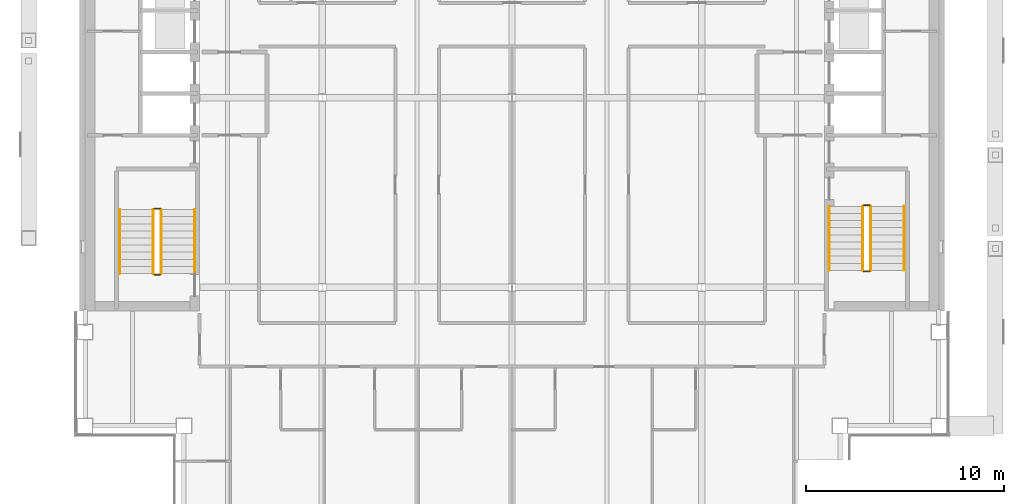
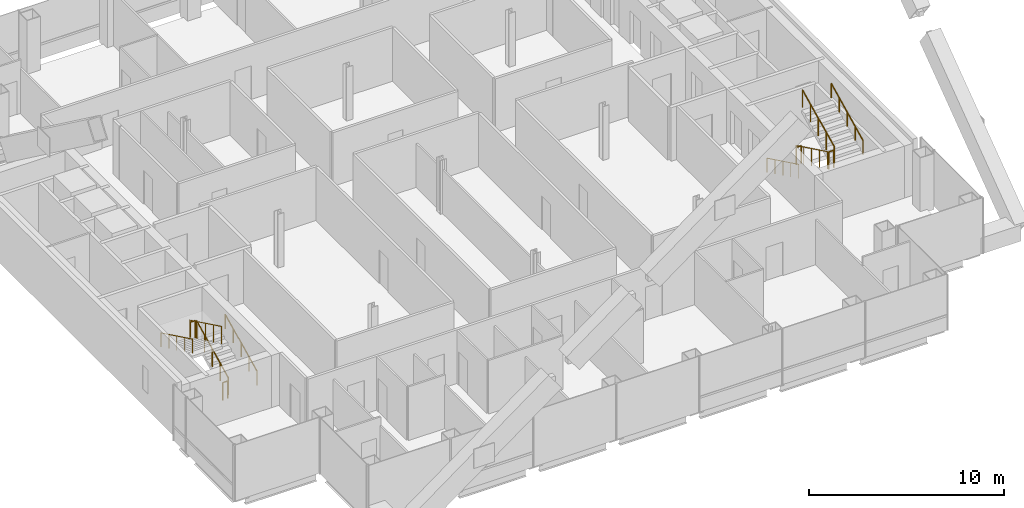
# One storey, part 16 of 17: 12 railings.
"""IFC4 building model written with IfcOpenShell, lengths in metres."""

from ifc_helpers import new_model, si_unit, direction, frame, origin, origin_2d, place, context, subcontext, project, spatial, circle, extrude, material, type_object, element, save


model = new_model("IFC4")

# Units and contexts
model_context = context("Model", 3, precision=1e-05, world=origin(), true_north=direction((0.0, 1.0)))
body_context = subcontext(model_context, "Body", "Model", "MODEL_VIEW")
ifc_project = project(units=[si_unit("LENGTHUNIT", "METRE"), si_unit("AREAUNIT", "SQUARE_METRE"), si_unit("VOLUMEUNIT", "CUBIC_METRE"), si_unit("PLANEANGLEUNIT", "RADIAN"), si_unit("MASSUNIT", "GRAM", prefix="KILO")], contexts=[model_context])

# Site, building, storey
site_placement = place(None, origin())
site = spatial("IfcSite", under=ifc_project, at=site_placement, CompositionType="ELEMENT")
building_placement = place(site_placement, origin())
building = spatial("IfcBuilding", under=site, at=building_placement, Name="Cobrizo Arcos Hotel Tower", CompositionType="ELEMENT")
storey_placement = place(building_placement, frame((0.0, 0.0, 151.5)))
storey = spatial("IfcBuildingStorey", under=building, at=storey_placement, Name="L38", CompositionType="ELEMENT", Elevation=151.5)

# Railings
ifc_material = material(Name="Stainless steel railing", Category="steel")
railing_type_1 = type_object("IfcRailingType", Name="Stair guard 1100", PredefinedType="GUARDRAIL", material=ifc_material)
railing_1_placement = place(storey_placement, frame((-17.75, -8.89990234375, 0.175048828125)))
element("IfcRailing", 1, at=railing_1_placement, inside=storey, type_object=railing_type_1, Name="L38 ST-W stair guard 1", PredefinedType="GUARDRAIL", context=body_context, shape_type="SweptSolid", body=[
    extrude(circle(Radius=0.02392578125, at=origin_2d()), frame((0.0, 0.0, 1.076171875), z_axis=(0.0, 0.899372665325, 0.437182809435), x_axis=(-1.0, 0.0, 0.0)), (0.0, 0.0, 1.0), 3.6025390625),
    extrude(circle(Radius=0.02099609375, at=origin_2d()), origin(), (0.0, 0.0, 1.0), 1.052001953125),
    extrude(circle(Radius=0.02099609375, at=origin_2d()), frame((0.0, 0.81005859375, 0.393798828125)), (0.0, 0.0, 1.0), 1.052001953125),
    extrude(circle(Radius=0.02099609375, at=origin_2d()), frame((0.0, 1.6201171875, 0.78759765625)), (0.0, 0.0, 1.0), 1.052001953125),
    extrude(circle(Radius=0.02099609375, at=origin_2d()), frame((0.0, 2.429931640625, 1.18115234375)), (0.0, 0.0, 1.0), 1.052001953125),
    extrude(circle(Radius=0.02099609375, at=origin_2d()), frame((0.0, 3.239990234375, 1.574951171875)), (0.0, 0.0, 1.0), 1.052001953125),
])
railing_2_placement = place(storey_placement, frame((-17.800048828125, -5.610107421875, 1.75)))
element("IfcRailing", 2, at=railing_2_placement, inside=storey, type_object=railing_type_1, Name="L38 ST-W stair guard 2", PredefinedType="GUARDRAIL", context=body_context, shape_type="SweptSolid", body=[
    extrude(circle(Radius=0.02392578125, at=origin_2d()), frame((0.0, 0.0, 1.076171875), z_axis=(-1.0, 0.0, 0.0), x_axis=(0.0, -1.0, 0.0)), (0.0, 0.0, 1.0), 0.300048828125),
    extrude(circle(Radius=0.02099609375, at=origin_2d()), origin(), (0.0, 0.0, 1.0), 1.052001953125),
    extrude(circle(Radius=0.02099609375, at=origin_2d()), frame((-0.300048828125, 0.0, 0.0)), (0.0, 0.0, 1.0), 1.052001953125),
])
railing_3_placement = place(storey_placement, frame((-18.14990234375, -5.659912109375, 1.925048828125)))
element("IfcRailing", 3, at=railing_3_placement, inside=storey, type_object=railing_type_1, Name="L38 ST-W stair guard 3", PredefinedType="GUARDRAIL", context=body_context, shape_type="SweptSolid", body=[
    extrude(circle(Radius=0.02392578125, at=origin_2d()), frame((0.0, 0.0, 1.076171875), z_axis=(0.0, -0.899372665325, 0.437182809435), x_axis=(1.0, 0.0, 0.0)), (0.0, 0.0, 1.0), 3.6025390625),
    extrude(circle(Radius=0.02099609375, at=origin_2d()), origin(), (0.0, 0.0, 1.0), 1.052001953125),
    extrude(circle(Radius=0.02099609375, at=origin_2d()), frame((0.0, -0.81005859375, 0.393798828125)), (0.0, 0.0, 1.0), 1.052001953125),
    extrude(circle(Radius=0.02099609375, at=origin_2d()), frame((0.0, -1.6201171875, 0.78759765625)), (0.0, 0.0, 1.0), 1.052001953125),
    extrude(circle(Radius=0.02099609375, at=origin_2d()), frame((0.0, -2.429931640625, 1.18115234375)), (0.0, 0.0, 1.0), 1.052001953125),
    extrude(circle(Radius=0.02099609375, at=origin_2d()), frame((0.0, -3.239990234375, 1.574951171875)), (0.0, 0.0, 1.0), 1.052001953125),
])
railing_4_placement = place(storey_placement, frame((-17.800048828125, -8.949951171875, 0.0)))
element("IfcRailing", 4, at=railing_4_placement, inside=storey, type_object=railing_type_1, Name="L38 ST-W stair guard 4", PredefinedType="GUARDRAIL", context=body_context, shape_type="SweptSolid", body=[
    extrude(circle(Radius=0.02392578125, at=origin_2d()), frame((0.0, 0.0, 1.076171875), z_axis=(-1.0, 0.0, 0.0), x_axis=(0.0, -1.0, 0.0)), (0.0, 0.0, 1.0), 0.300048828125),
    extrude(circle(Radius=0.02099609375, at=origin_2d()), origin(), (0.0, 0.0, 1.0), 1.052001953125),
    extrude(circle(Radius=0.02099609375, at=origin_2d()), frame((-0.300048828125, 0.0, 0.0)), (0.0, 0.0, 1.0), 1.052001953125),
])
railing_5_placement = place(storey_placement, frame((17.75, -5.5, 0.175048828125)))
element("IfcRailing", 5, at=railing_5_placement, inside=storey, type_object=railing_type_1, Name="L38 ST-E stair guard 1", PredefinedType="GUARDRAIL", context=body_context, shape_type="SweptSolid", body=[
    extrude(circle(Radius=0.02392578125, at=origin_2d()), frame((0.0, 0.0, 1.076171875), z_axis=(0.0, -0.899372665325, 0.437182809435), x_axis=(1.0, 0.0, 0.0)), (0.0, 0.0, 1.0), 3.6025390625),
    extrude(circle(Radius=0.02099609375, at=origin_2d()), origin(), (0.0, 0.0, 1.0), 1.052001953125),
    extrude(circle(Radius=0.02099609375, at=origin_2d()), frame((0.0, -0.81005859375, 0.393798828125)), (0.0, 0.0, 1.0), 1.052001953125),
    extrude(circle(Radius=0.02099609375, at=origin_2d()), frame((0.0, -1.6201171875, 0.78759765625)), (0.0, 0.0, 1.0), 1.052001953125),
    extrude(circle(Radius=0.02099609375, at=origin_2d()), frame((0.0, -2.429931640625, 1.18115234375)), (0.0, 0.0, 1.0), 1.052001953125),
    extrude(circle(Radius=0.02099609375, at=origin_2d()), frame((0.0, -3.239990234375, 1.574951171875)), (0.0, 0.0, 1.0), 1.052001953125),
])
railing_6_placement = place(storey_placement, frame((17.800048828125, -8.7900390625, 1.75)))
element("IfcRailing", 6, at=railing_6_placement, inside=storey, type_object=railing_type_1, Name="L38 ST-E stair guard 2", PredefinedType="GUARDRAIL", context=body_context, shape_type="SweptSolid", body=[
    extrude(circle(Radius=0.02392578125, at=origin_2d()), frame((0.0, 0.0, 1.076171875), z_axis=(1.0, 0.0, 0.0), x_axis=(0.0, 1.0, 0.0)), (0.0, 0.0, 1.0), 0.300048828125),
    extrude(circle(Radius=0.02099609375, at=origin_2d()), origin(), (0.0, 0.0, 1.0), 1.052001953125),
    extrude(circle(Radius=0.02099609375, at=origin_2d()), frame((0.300048828125, 0.0, 0.0)), (0.0, 0.0, 1.0), 1.052001953125),
])
railing_7_placement = place(storey_placement, frame((18.14990234375, -8.739990234375, 1.925048828125)))
element("IfcRailing", 7, at=railing_7_placement, inside=storey, type_object=railing_type_1, Name="L38 ST-E stair guard 3", PredefinedType="GUARDRAIL", context=body_context, shape_type="SweptSolid", body=[
    extrude(circle(Radius=0.02392578125, at=origin_2d()), frame((0.0, 0.0, 1.076171875), z_axis=(0.0, 0.899372665325, 0.437182809435), x_axis=(-1.0, 0.0, 0.0)), (0.0, 0.0, 1.0), 3.6025390625),
    extrude(circle(Radius=0.02099609375, at=origin_2d()), origin(), (0.0, 0.0, 1.0), 1.052001953125),
    extrude(circle(Radius=0.02099609375, at=origin_2d()), frame((0.0, 0.81005859375, 0.393798828125)), (0.0, 0.0, 1.0), 1.052001953125),
    extrude(circle(Radius=0.02099609375, at=origin_2d()), frame((0.0, 1.6201171875, 0.78759765625)), (0.0, 0.0, 1.0), 1.052001953125),
    extrude(circle(Radius=0.02099609375, at=origin_2d()), frame((0.0, 2.429931640625, 1.18115234375)), (0.0, 0.0, 1.0), 1.052001953125),
    extrude(circle(Radius=0.02099609375, at=origin_2d()), frame((0.0, 3.239990234375, 1.574951171875)), (0.0, 0.0, 1.0), 1.052001953125),
])
railing_8_placement = place(storey_placement, frame((17.800048828125, -5.449951171875, 0.0)))
element("IfcRailing", 8, at=railing_8_placement, inside=storey, type_object=railing_type_1, Name="L38 ST-E stair guard 4", PredefinedType="GUARDRAIL", context=body_context, shape_type="SweptSolid", body=[
    extrude(circle(Radius=0.02392578125, at=origin_2d()), frame((0.0, 0.0, 1.076171875), z_axis=(1.0, 0.0, 0.0), x_axis=(0.0, 1.0, 0.0)), (0.0, 0.0, 1.0), 0.300048828125),
    extrude(circle(Radius=0.02099609375, at=origin_2d()), origin(), (0.0, 0.0, 1.0), 1.052001953125),
    extrude(circle(Radius=0.02099609375, at=origin_2d()), frame((0.300048828125, 0.0, 0.0)), (0.0, 0.0, 1.0), 1.052001953125),
])
railing_type_2 = type_object("IfcRailingType", Name="Stair handrail", PredefinedType="HANDRAIL", material=ifc_material)
railing_9_placement = place(storey_placement, frame((-16.050048828125, -8.89990234375, 0.175048828125)))
element("IfcRailing", 9, at=railing_9_placement, inside=storey, type_object=railing_type_2, Name="L38 ST-W stair handrail 1", PredefinedType="HANDRAIL", context=body_context, shape_type="SweptSolid", body=[
    extrude(circle(Radius=0.02392578125, at=origin_2d()), frame((0.0, 0.0, 0.8759765625), z_axis=(0.0, 0.899372665325, 0.437182809435), x_axis=(-1.0, 0.0, 0.0)), (0.0, 0.0, 1.0), 3.6025390625),
    extrude(circle(Radius=0.02099609375, at=origin_2d()), origin(), (0.0, 0.0, 1.0), 0.851806640625),
    extrude(circle(Radius=0.02099609375, at=origin_2d()), frame((0.0, 0.81005859375, 0.393798828125)), (0.0, 0.0, 1.0), 0.851806640625),
    extrude(circle(Radius=0.02099609375, at=origin_2d()), frame((0.0, 1.6201171875, 0.78759765625)), (0.0, 0.0, 1.0), 0.851806640625),
    extrude(circle(Radius=0.02099609375, at=origin_2d()), frame((0.0, 2.429931640625, 1.18115234375)), (0.0, 0.0, 1.0), 0.851806640625),
    extrude(circle(Radius=0.02099609375, at=origin_2d()), frame((0.0, 3.239990234375, 1.574951171875)), (0.0, 0.0, 1.0), 0.851806640625),
])
for number, where, name in (
    (10, (-19.85009765625, -5.659912109375, 1.925048828125), "L38 ST-W stair handrail 2"),
    (11, (16.050048828125, -5.5, 0.175048828125), "L38 ST-E stair handrail 1"),
):
    element("IfcRailing", number, at=place(storey_placement, frame(where)), inside=storey, type_object=railing_type_2, Name=name, PredefinedType="HANDRAIL", context=body_context, shape_type="SweptSolid", body=[
        extrude(circle(Radius=0.02392578125, at=origin_2d()), frame((0.0, 0.0, 0.8759765625), z_axis=(0.0, -0.899372665325, 0.437182809435), x_axis=(1.0, 0.0, 0.0)), (0.0, 0.0, 1.0), 3.6025390625),
        extrude(circle(Radius=0.02099609375, at=origin_2d()), origin(), (0.0, 0.0, 1.0), 0.851806640625),
        extrude(circle(Radius=0.02099609375, at=origin_2d()), frame((0.0, -0.81005859375, 0.393798828125)), (0.0, 0.0, 1.0), 0.851806640625),
        extrude(circle(Radius=0.02099609375, at=origin_2d()), frame((0.0, -1.6201171875, 0.78759765625)), (0.0, 0.0, 1.0), 0.851806640625),
        extrude(circle(Radius=0.02099609375, at=origin_2d()), frame((0.0, -2.429931640625, 1.18115234375)), (0.0, 0.0, 1.0), 0.851806640625),
        extrude(circle(Radius=0.02099609375, at=origin_2d()), frame((0.0, -3.239990234375, 1.574951171875)), (0.0, 0.0, 1.0), 0.851806640625),
    ])
railing_10_placement = place(storey_placement, frame((19.85009765625, -8.739990234375, 1.925048828125)))
element("IfcRailing", 12, at=railing_10_placement, inside=storey, type_object=railing_type_2, Name="L38 ST-E stair handrail 2", PredefinedType="HANDRAIL", context=body_context, shape_type="SweptSolid", body=[
    extrude(circle(Radius=0.02392578125, at=origin_2d()), frame((0.0, 0.0, 0.8759765625), z_axis=(0.0, 0.899372665325, 0.437182809435), x_axis=(-1.0, 0.0, 0.0)), (0.0, 0.0, 1.0), 3.6025390625),
    extrude(circle(Radius=0.02099609375, at=origin_2d()), origin(), (0.0, 0.0, 1.0), 0.851806640625),
    extrude(circle(Radius=0.02099609375, at=origin_2d()), frame((0.0, 0.81005859375, 0.393798828125)), (0.0, 0.0, 1.0), 0.851806640625),
    extrude(circle(Radius=0.02099609375, at=origin_2d()), frame((0.0, 1.6201171875, 0.78759765625)), (0.0, 0.0, 1.0), 0.851806640625),
    extrude(circle(Radius=0.02099609375, at=origin_2d()), frame((0.0, 2.429931640625, 1.18115234375)), (0.0, 0.0, 1.0), 0.851806640625),
    extrude(circle(Radius=0.02099609375, at=origin_2d()), frame((0.0, 3.239990234375, 1.574951171875)), (0.0, 0.0, 1.0), 0.851806640625),
])

save(model, "model.ifc")
